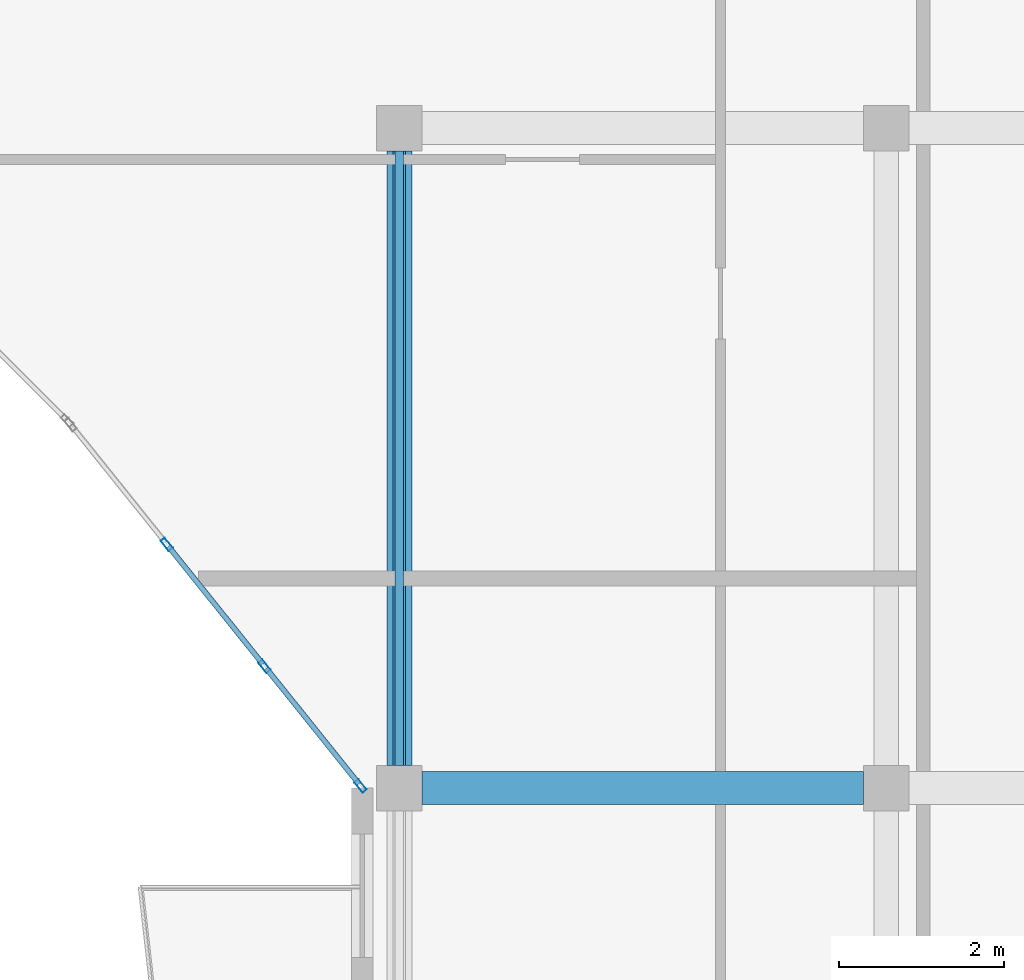
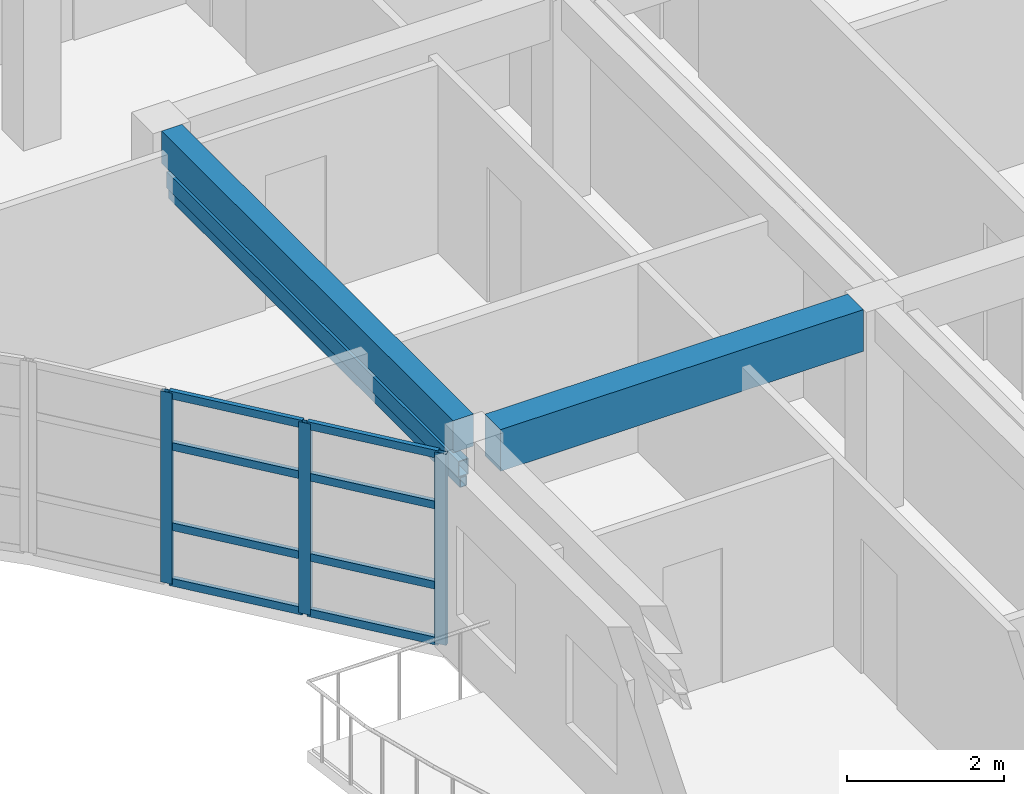
# One storey, part 20 of 68: 13 members, 2 beams, 1 element without a shape of its own.
"""IFC4 building model written with IfcOpenShell, lengths in metres."""

from ifc_helpers import new_model, si_unit, direction, frame, origin, origin_2d, place, context, subcontext, project, spatial, rectangle, hollow_rectangle, extrude, material, layer, layer_set, material_profile, profile_set, type_object, element, aggregate, save


model = new_model("IFC4")

# Units and contexts
model_context = context("Model", 3, precision=1e-05, world=origin(), true_north=direction((0.0, 1.0)))
body_context = subcontext(model_context, "Body", "Model", "MODEL_VIEW")
ifc_project = project(units=[si_unit("LENGTHUNIT", "METRE"), si_unit("AREAUNIT", "SQUARE_METRE"), si_unit("VOLUMEUNIT", "CUBIC_METRE"), si_unit("PLANEANGLEUNIT", "RADIAN"), si_unit("MASSUNIT", "GRAM", prefix="KILO")], contexts=[model_context])

# Site, building, storey
site_placement = place(None, origin())
site = spatial("IfcSite", under=ifc_project, at=site_placement, CompositionType="ELEMENT")
building_placement = place(site_placement, origin())
building = spatial("IfcBuilding", under=site, at=building_placement, Name="Keldmere Railside Commons", CompositionType="ELEMENT")
storey_placement = place(building_placement, frame((0.0, 0.0, 23.360107421875)))
storey = spatial("IfcBuildingStorey", under=building, at=storey_placement, Name="L07", CompositionType="ELEMENT", Elevation=23.360107421875)

# Member
ifc_material_1 = material(Name="Steel F-36 (S355)", Category="steel")
ifc_material_profile_1 = material_profile(ifc_material_1, hollow_rectangle(XDim=0.14990234375, YDim=0.25, WallThickness=0.010009765625, at=origin_2d()), Name="RHS-250x150x10")
ifc_profile_set_1 = profile_set([ifc_material_profile_1], Name="Steel F-36 (S355)")
member_type_1 = type_object("IfcMemberType", Name="Balcony Continuous Planted Trough RHS250x150", PredefinedType="CHORD", material=ifc_profile_set_1)
member_1_placement = place(storey_placement, frame((168.449951171875, 88.27490234375, 2.414794921875), z_axis=(0.0, 1.0, 0.0), x_axis=(-1.0, 0.0, 0.0)))
element("IfcMember", 1, at=member_1_placement, inside=storey, type_object=member_type_1, Name="PLT-1 MEM-BPLT-0857", PredefinedType="CHORD", context=body_context, shape_type="SweptSolid", body=[
    extrude(hollow_rectangle(XDim=0.14990234375, YDim=0.25, WallThickness=0.010009765625, at=origin_2d()), origin(), (0.0, 0.0, 1.0), 7.4501953125),
])

# Beams
ifc_material_2 = material(Name="Concrete H-30 (C30/37)", Category="concrete")
ifc_material_profile_2 = material_profile(ifc_material_2, rectangle(XDim=0.39990234375, YDim=0.64990234375, at=origin_2d()), Name="RC-400x650")
ifc_profile_set_2 = profile_set([ifc_material_profile_2], Name="Concrete H-30 (C30/37)")
beam_type_1 = type_object("IfcBeamType", Name="Residential Spine RC Girder 400x650", PredefinedType="BEAM", material=ifc_profile_set_2)
beam_1_placement = place(storey_placement, frame((168.72509765625, 88.0, 2.875), z_axis=(1.0, 0.0, 0.0), x_axis=(0.0, 1.0, 0.0)))
element("IfcBeam", 2, at=beam_1_placement, inside=storey, type_object=beam_type_1, Name="BG-3 BM-L07-2044", PredefinedType="BEAM", context=body_context, shape_type="SweptSolid", body=[
    extrude(rectangle(XDim=0.39990234375, YDim=0.64990234375, at=origin_2d()), origin(), (0.0, 0.0, 1.0), 5.349853515625),
])
ifc_material_profile_3 = material_profile(ifc_material_2, rectangle(XDim=0.300048828125, YDim=0.5, at=origin_2d()), Name="RC-300x500")
ifc_profile_set_3 = profile_set([ifc_material_profile_3], Name="Concrete H-30 (C30/37)")
beam_type_2 = type_object("IfcBeamType", Name="Secondary Frame RC Beam 300x500", PredefinedType="BEAM", material=ifc_profile_set_3)
beam_2_placement = place(storey_placement, frame((168.449951171875, 88.27490234375, 2.949951171875), z_axis=(0.0, 1.0, 0.0), x_axis=(-1.0, 0.0, 0.0)))
element("IfcBeam", 3, at=beam_2_placement, inside=storey, type_object=beam_type_2, Name="BG-5 BM-L07-2149", PredefinedType="BEAM", context=body_context, shape_type="SweptSolid", body=[
    extrude(rectangle(XDim=0.300048828125, YDim=0.5, at=origin_2d()), origin(), (0.0, 0.0, 1.0), 7.4501953125),
])

# Member
ifc_material_profile_4 = material_profile(ifc_material_1, hollow_rectangle(XDim=0.10009765625, YDim=0.159912109375, WallThickness=0.008056640625, at=origin_2d()), Name="RHS-160x100x8")
ifc_profile_set_4 = profile_set([ifc_material_profile_4], Name="Steel F-36 (S355)")
member_type_2 = type_object("IfcMemberType", Name="Solar Brise-Soleil Louvre Fin RHS160x100", PredefinedType="STRUT", material=ifc_profile_set_4)
member_2_placement = place(storey_placement, frame((168.449951171875, 88.27490234375, 2.199951171875), z_axis=(0.0, 1.0, 0.0), x_axis=(-1.0, 0.0, 0.0)))
element("IfcMember", 4, at=member_2_placement, inside=storey, type_object=member_type_2, Name="BSF-1 MEM-BSF-0858", PredefinedType="STRUT", context=body_context, shape_type="SweptSolid", body=[
    extrude(hollow_rectangle(XDim=0.10009765625, YDim=0.159912109375, WallThickness=0.008056640625, at=origin_2d()), origin(), (0.0, 0.0, 1.0), 7.4501953125),
])

# Curtain wall, members
ifc_material_3 = material(Name="Thermally Broken Aluminium", Category="aluminium")
ifc_layer = layer(ifc_material_3, 0.159912109375, Name="Court Chord Wintergarden CW 5400x2850")
ifc_layer_set = layer_set([ifc_layer], Name="Thermally Broken Aluminium")
curtain_wall_type = type_object("IfcCurtainWallType", Name="Court Chord Wintergarden CW 5400x2850", PredefinedType="NOTDEFINED", material=ifc_layer_set)
curtain_wall_placement = place(storey_placement, origin())
curtain_wall = element("IfcCurtainWall", 5, at=curtain_wall_placement, inside=storey, type_object=curtain_wall_type, Name="CW-13 CW-L07-180", PredefinedType="NOTDEFINED")
ifc_material_profile_5 = material_profile(ifc_material_3, hollow_rectangle(XDim=0.06494140625, YDim=0.159912109375, WallThickness=0.00390625, at=origin_2d()), Name="ALU-MULL-65x160")
ifc_profile_set_5 = profile_set([ifc_material_profile_5], Name="Thermally Broken Aluminium")
member_type_3 = type_object("IfcMemberType", Name="Unitised Curtain Wall Mullion 65x160", PredefinedType="MULLION", material=ifc_profile_set_5)
member_3_placement = place(storey_placement, frame((167.979736328125, 88.025390625, 0.0), z_axis=(0.0, 0.0, 1.0), x_axis=(-0.780009172323, -0.625768080915, 0.0)))
member_3 = element("IfcMember", 6, at=member_3_placement, type_object=member_type_3, Name="CW-13 mullion 1", PredefinedType="MULLION", context=body_context, shape_type="SweptSolid", body=[
    extrude(hollow_rectangle(XDim=0.06494140625, YDim=0.159912109375, WallThickness=0.00390625, at=origin_2d()), origin(), (0.0, 0.0, 1.0), 2.97998046875),
])
member_4_placement = place(storey_placement, frame((166.8154296875, 89.4765625, 0.0), z_axis=(0.0, 0.0, 1.0), x_axis=(-0.780009172323, -0.625768080915, 0.0)))
member_4 = element("IfcMember", 7, at=member_4_placement, type_object=member_type_3, Name="CW-13 mullion 2", PredefinedType="MULLION", context=body_context, shape_type="SweptSolid", body=[
    extrude(hollow_rectangle(XDim=0.06494140625, YDim=0.159912109375, WallThickness=0.00390625, at=origin_2d()), origin(), (0.0, 0.0, 1.0), 2.97998046875),
])
member_5_placement = place(storey_placement, frame((165.630615234375, 90.953369140625, 0.0), z_axis=(0.0, 0.0, 1.0), x_axis=(-0.780009172323, -0.625768080915, 0.0)))
member_5 = element("IfcMember", 8, at=member_5_placement, type_object=member_type_3, Name="CW-13 mullion 3", PredefinedType="MULLION", context=body_context, shape_type="SweptSolid", body=[
    extrude(hollow_rectangle(XDim=0.06494140625, YDim=0.159912109375, WallThickness=0.00390625, at=origin_2d()), origin(), (0.0, 0.0, 1.0), 2.97998046875),
])
ifc_material_profile_6 = material_profile(ifc_material_3, hollow_rectangle(XDim=0.06494140625, YDim=0.1201171875, WallThickness=0.00390625, at=origin_2d()), Name="ALU-TRAN-65x120")
ifc_profile_set_6 = profile_set([ifc_material_profile_6], Name="Thermally Broken Aluminium")
member_type_4 = type_object("IfcMemberType", Name="Unitised Curtain Wall Transom 65x120", PredefinedType="USERDEFINED", material=ifc_profile_set_6)
member_6_placement = place(storey_placement, frame((167.959228515625, 88.05078125, 0.032470703125), z_axis=(-0.625722553313, 0.780045694992, 0.0), x_axis=(-0.780045694992, -0.625722553313, 0.0)))
member_6 = element("IfcMember", 9, at=member_6_placement, type_object=member_type_4, Name="CW-13 transom 1.1", ObjectType="TRANSOM", PredefinedType="USERDEFINED", context=body_context, shape_type="SweptSolid", body=[
    extrude(hollow_rectangle(XDim=0.06494140625, YDim=0.1201171875, WallThickness=0.00390625, at=origin_2d()), origin(), (0.0, 0.0, 1.0), 1.795654296875),
])
member_7_placement = place(storey_placement, frame((167.959228515625, 88.05078125, 0.89990234375), z_axis=(-0.625722553313, 0.780045694992, 0.0), x_axis=(-0.780045694992, -0.625722553313, 0.0)))
member_7 = element("IfcMember", 10, at=member_7_placement, type_object=member_type_4, Name="CW-13 transom 1.2", ObjectType="TRANSOM", PredefinedType="USERDEFINED", context=body_context, shape_type="SweptSolid", body=[
    extrude(hollow_rectangle(XDim=0.06494140625, YDim=0.1201171875, WallThickness=0.00390625, at=origin_2d()), origin(), (0.0, 0.0, 1.0), 1.795654296875),
])
member_8_placement = place(storey_placement, frame((167.959228515625, 88.05078125, 2.14990234375), z_axis=(-0.625722553313, 0.780045694992, 0.0), x_axis=(-0.780045694992, -0.625722553313, 0.0)))
member_8 = element("IfcMember", 11, at=member_8_placement, type_object=member_type_4, Name="CW-13 transom 1.3", ObjectType="TRANSOM", PredefinedType="USERDEFINED", context=body_context, shape_type="SweptSolid", body=[
    extrude(hollow_rectangle(XDim=0.06494140625, YDim=0.1201171875, WallThickness=0.00390625, at=origin_2d()), origin(), (0.0, 0.0, 1.0), 1.795654296875),
])
member_9_placement = place(storey_placement, frame((167.959228515625, 88.05078125, 2.947509765625), z_axis=(-0.625722553313, 0.780045694992, 0.0), x_axis=(-0.780045694992, -0.625722553313, 0.0)))
member_9 = element("IfcMember", 12, at=member_9_placement, type_object=member_type_4, Name="CW-13 transom 1.4", ObjectType="TRANSOM", PredefinedType="USERDEFINED", context=body_context, shape_type="SweptSolid", body=[
    extrude(hollow_rectangle(XDim=0.06494140625, YDim=0.1201171875, WallThickness=0.00390625, at=origin_2d()), origin(), (0.0, 0.0, 1.0), 1.795654296875),
])
member_10_placement = place(storey_placement, frame((166.794921875, 89.501953125, 0.032470703125), z_axis=(-0.625688033635, 0.78007338409, 0.0), x_axis=(-0.78007338409, -0.625688033635, 0.0)))
member_10 = element("IfcMember", 13, at=member_10_placement, type_object=member_type_4, Name="CW-13 transom 2.1", ObjectType="TRANSOM", PredefinedType="USERDEFINED", context=body_context, shape_type="SweptSolid", body=[
    extrude(hollow_rectangle(XDim=0.06494140625, YDim=0.1201171875, WallThickness=0.00390625, at=origin_2d()), origin(), (0.0, 0.0, 1.0), 1.828125),
])
member_11_placement = place(storey_placement, frame((166.794921875, 89.501953125, 0.89990234375), z_axis=(-0.625688033635, 0.78007338409, 0.0), x_axis=(-0.78007338409, -0.625688033635, 0.0)))
member_11 = element("IfcMember", 14, at=member_11_placement, type_object=member_type_4, Name="CW-13 transom 2.2", ObjectType="TRANSOM", PredefinedType="USERDEFINED", context=body_context, shape_type="SweptSolid", body=[
    extrude(hollow_rectangle(XDim=0.06494140625, YDim=0.1201171875, WallThickness=0.00390625, at=origin_2d()), origin(), (0.0, 0.0, 1.0), 1.828125),
])
member_12_placement = place(storey_placement, frame((166.794921875, 89.501953125, 2.14990234375), z_axis=(-0.625688033635, 0.78007338409, 0.0), x_axis=(-0.78007338409, -0.625688033635, 0.0)))
member_12 = element("IfcMember", 15, at=member_12_placement, type_object=member_type_4, Name="CW-13 transom 2.3", ObjectType="TRANSOM", PredefinedType="USERDEFINED", context=body_context, shape_type="SweptSolid", body=[
    extrude(hollow_rectangle(XDim=0.06494140625, YDim=0.1201171875, WallThickness=0.00390625, at=origin_2d()), origin(), (0.0, 0.0, 1.0), 1.828125),
])
member_13_placement = place(storey_placement, frame((166.794921875, 89.501953125, 2.947509765625), z_axis=(-0.625688033635, 0.78007338409, 0.0), x_axis=(-0.78007338409, -0.625688033635, 0.0)))
member_13 = element("IfcMember", 16, at=member_13_placement, type_object=member_type_4, Name="CW-13 transom 2.4", ObjectType="TRANSOM", PredefinedType="USERDEFINED", context=body_context, shape_type="SweptSolid", body=[
    extrude(hollow_rectangle(XDim=0.06494140625, YDim=0.1201171875, WallThickness=0.00390625, at=origin_2d()), origin(), (0.0, 0.0, 1.0), 1.828125),
])
aggregate(curtain_wall, [member_3, member_4, member_5, member_6, member_7, member_8, member_9, member_10, member_11, member_12, member_13])

save(model, "model.ifc")
